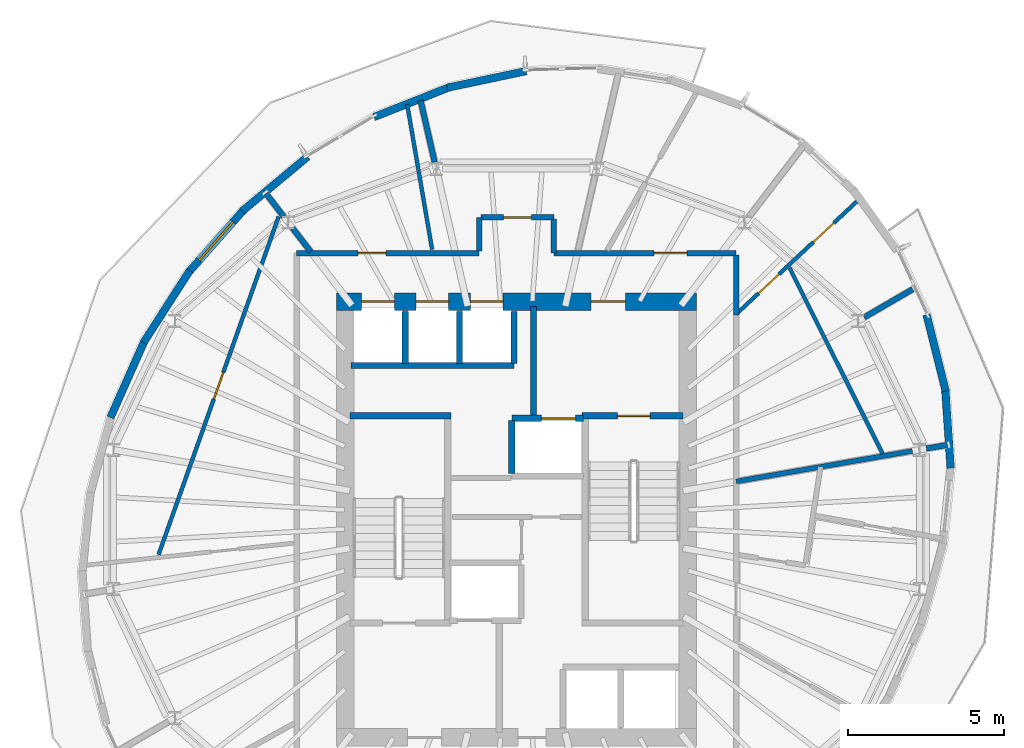
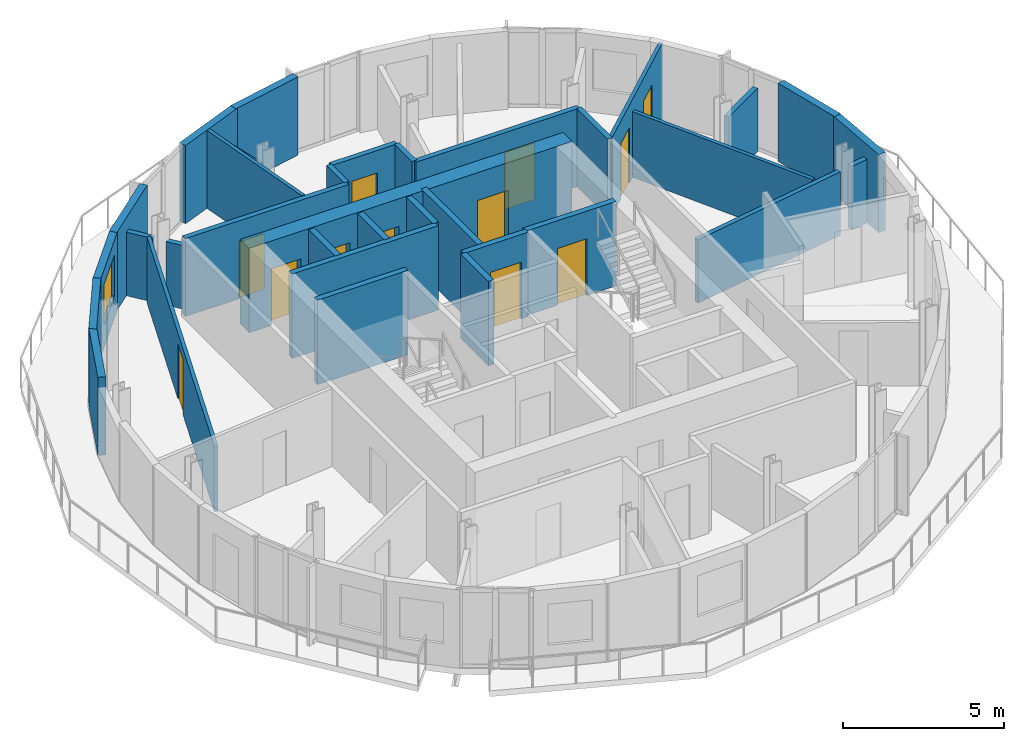
# One storey, part 6 of 11: 34 walls, 12 doors, 1 window, 13 openings.
"""IFC4 building model written with IfcOpenShell, lengths in metres."""

from ifc_helpers import new_model, si_unit, direction, frame, frame_2d, origin, place, context, subcontext, project, spatial, rectangle, extrude, material, layer, layer_set, type_object, element, fill, save


model = new_model("IFC4")

# Units and contexts
model_context = context("Model", 3, precision=1e-05, world=origin(), true_north=direction((0.0, 1.0)))
body_context = subcontext(model_context, "Body", "Model", "MODEL_VIEW")
ifc_project = project(units=[si_unit("LENGTHUNIT", "METRE"), si_unit("AREAUNIT", "SQUARE_METRE"), si_unit("VOLUMEUNIT", "CUBIC_METRE"), si_unit("PLANEANGLEUNIT", "RADIAN"), si_unit("MASSUNIT", "GRAM", prefix="KILO")], contexts=[model_context])

# Site, building, storey
site_placement = place(None, origin())
site = spatial("IfcSite", under=ifc_project, at=site_placement, CompositionType="ELEMENT")
building_placement = place(site_placement, origin())
building = spatial("IfcBuilding", under=site, at=building_placement, Name="Veldorim Arch Residences", CompositionType="ELEMENT")
storey_placement = place(building_placement, frame((0.0, 0.0, 214.239990234375)))
storey = spatial("IfcBuildingStorey", under=building, at=storey_placement, Name="L64", CompositionType="ELEMENT", Elevation=214.239990234375)

# Wall, openings, doors
ifc_material_1 = material(Name="Acoustic Gypsum Board", Category="gypsum")
ifc_layer_1 = layer(ifc_material_1, 0.125, Name="Acoustic Stud Room Partition Wall 125")
ifc_layer_set_1 = layer_set([ifc_layer_1], Name="Acoustic Gypsum Board")
wall_type_1 = type_object("IfcWallType", Name="Acoustic Stud Room Partition Wall 125", PredefinedType="PARTITIONING", material=ifc_layer_set_1)
wall_1_placement = place(storey_placement, frame((43.019775390625, 34.29443359375, 0.0), z_axis=(0.0, 0.0, 1.0), x_axis=(-0.730757039427, -0.682637641307, 0.0)))
wall_1 = element("IfcWall", 1, at=wall_1_placement, inside=storey, type_object=wall_type_1, Name="L64 interior wall WL-RES-L64-023", PredefinedType="PARTITIONING", context=body_context, shape_type="SweptSolid", body=[
    extrude(rectangle(XDim=5.418701171875, YDim=0.125, at=frame_2d((2.70947265625, 0.0))), origin(), (0.0, 0.0, 1.0), 2.955078125),
])
opening_1_placement = place(wall_1_placement, frame((1.1220703125, 0.0, 0.0)))
opening_1 = element("IfcOpeningElement", 2, at=opening_1_placement, cuts=wall_1, Name="Opening DR-INT", PredefinedType="OPENING", context=body_context, shape_type="SweptSolid", body=[
    extrude(rectangle(XDim=0.89990234375, YDim=2.10009765625, at=frame_2d((0.449951171875, 1.050048828125))), frame((0.0, 0.072509765625, 0.0), z_axis=(0.0, -1.0, 0.0), x_axis=(1.0, 0.0, 0.0)), (0.0, 0.0, 1.0), 0.14501953125),
])
opening_2_placement = place(wall_1_placement, frame((3.531005859375, 0.0, 0.0)))
opening_2 = element("IfcOpeningElement", 3, at=opening_2_placement, cuts=wall_1, Name="Opening DR-INT", PredefinedType="OPENING", context=body_context, shape_type="SweptSolid", body=[
    extrude(rectangle(XDim=0.89990234375, YDim=2.10009765625, at=frame_2d((0.449951171875, 1.050048828125))), frame((0.0, 0.072509765625, 0.0), z_axis=(0.0, -1.0, 0.0), x_axis=(1.0, 0.0, 0.0)), (0.0, 0.0, 1.0), 0.14501953125),
])
ifc_material_2 = material(Name="Engineered Timber", Category="wood")
door_type_1 = type_object("IfcDoorType", Name="Apartment Internal Room Timber Door 900x2100", OperationType="SINGLE_SWING_LEFT", PredefinedType="DOOR", material=ifc_material_2)
door_1_placement = place(opening_1_placement, origin())
door_1 = element("IfcDoor", 4, at=door_1_placement, inside=storey, type_object=door_type_1, Name="L64 interior door DR-RES-L64-009", OperationType="SINGLE_SWING_LEFT", OverallHeight=2.10009765625, OverallWidth=0.89990234375, PredefinedType="DOOR", context=body_context, shape_type="SweptSolid", body=[
    extrude(rectangle(XDim=0.89990234375, YDim=2.10009765625, at=frame_2d((0.449951171875, 1.050048828125))), frame((0.0, 0.02490234375, 0.0), z_axis=(0.0, -1.0, 0.0), x_axis=(1.0, 0.0, 0.0)), (0.0, 0.0, 1.0), 0.050048828125),
])
fill(opening_1, door_1)
door_2_placement = place(opening_2_placement, origin())
door_2 = element("IfcDoor", 5, at=door_2_placement, inside=storey, type_object=door_type_1, Name="L64 interior door DR-RES-L64-010", OperationType="SINGLE_SWING_RIGHT", OverallHeight=2.10009765625, OverallWidth=0.89990234375, PredefinedType="DOOR", context=body_context, shape_type="SweptSolid", body=[
    extrude(rectangle(XDim=0.89990234375, YDim=2.10009765625, at=frame_2d((0.449951171875, 1.050048828125))), frame((0.0, 0.02490234375, 0.0), z_axis=(0.0, -1.0, 0.0), x_axis=(1.0, 0.0, 0.0)), (0.0, 0.0, 1.0), 0.050048828125),
])
fill(opening_2, door_2)

# Walls
wall_2_placement = place(storey_placement, frame((43.76806640625, 26.113525390625, 0.0), z_axis=(0.0, 0.0, 1.0), x_axis=(-0.447958394428, 0.894054403748, 0.0)))
element("IfcWall", 6, at=wall_2_placement, inside=storey, type_object=wall_type_1, Name="L64 interior wall WL-RES-L64-025", PredefinedType="PARTITIONING", context=body_context, shape_type="SweptSolid", body=[
    extrude(rectangle(XDim=6.685546875, YDim=0.125, at=frame_2d((3.3427734375, 0.0))), origin(), (0.0, 0.0, 1.0), 2.488037109375),
])
wall_3_placement = place(storey_placement, frame((28.489501953125, 37.340576171875, 0.0), z_axis=(0.0, 0.0, 1.0), x_axis=(0.169376334169, -0.98555144839, 0.0)))
element("IfcWall", 7, at=wall_3_placement, inside=storey, type_object=wall_type_1, Name="L64 interior wall WL-RES-L64-026", PredefinedType="PARTITIONING", context=body_context, shape_type="SweptSolid", body=[
    extrude(rectangle(XDim=4.730712890625, YDim=0.125, at=frame_2d((2.365234375, 0.0))), origin(), (0.0, 0.0, 1.0), 2.955078125),
])

# Wall, opening, door
wall_4_placement = place(storey_placement, frame((20.501220703125, 22.86962890625, 0.0), z_axis=(0.0, 0.0, 1.0), x_axis=(0.334686593727, 0.942329498625, 0.0)))
wall_4 = element("IfcWall", 8, at=wall_4_placement, inside=storey, type_object=wall_type_1, Name="L64 interior wall WL-RES-L64-030", PredefinedType="PARTITIONING", context=body_context, shape_type="SweptSolid", body=[
    extrude(rectangle(XDim=11.524658203125, YDim=0.125, at=frame_2d((5.76220703125, 0.0))), origin(), (0.0, 0.0, 1.0), 2.488037109375),
])
opening_3_placement = place(wall_4_placement, frame((5.3125, 0.0, 0.0)))
opening_3 = element("IfcOpeningElement", 9, at=opening_3_placement, cuts=wall_4, Name="Opening DR-INT", PredefinedType="OPENING", context=body_context, shape_type="SweptSolid", body=[
    extrude(rectangle(XDim=0.89990234375, YDim=2.10009765625, at=frame_2d((0.449951171875, 1.050048828125))), frame((0.0, 0.072509765625, 0.0), z_axis=(0.0, -1.0, 0.0), x_axis=(1.0, 0.0, 0.0)), (0.0, 0.0, 1.0), 0.14501953125),
])
door_3_placement = place(opening_3_placement, origin())
door_3 = element("IfcDoor", 10, at=door_3_placement, inside=storey, type_object=door_type_1, Name="L64 interior door DR-RES-L64-016", OperationType="SINGLE_SWING_RIGHT", OverallHeight=2.10009765625, OverallWidth=0.89990234375, PredefinedType="DOOR", context=body_context, shape_type="SweptSolid", body=[
    extrude(rectangle(XDim=0.89990234375, YDim=2.10009765625, at=frame_2d((0.449951171875, 1.050048828125))), frame((0.0, 0.02490234375, 0.0), z_axis=(0.0, -1.0, 0.0), x_axis=(1.0, 0.0, 0.0)), (0.0, 0.0, 1.0), 0.050048828125),
])
fill(opening_3, door_3)

# Walls
ifc_material_3 = material(Name="Lightweight Masonry Block & Gypsum", Category="masonry")
ifc_layer_2 = layer(ifc_material_3, 0.179931640625, Name="Compartment & Corridor Fire-Rated Party Wall 180")
ifc_layer_set_2 = layer_set([ifc_layer_2], Name="Lightweight Masonry Block & Gypsum")
wall_type_2 = type_object("IfcWallType", Name="Compartment & Corridor Fire-Rated Party Wall 180", PredefinedType="PARTITIONING", material=ifc_layer_set_2)
wall_5_placement = place(storey_placement, frame((45.172607421875, 26.27880859375, 0.0), z_axis=(0.0, 0.0, 1.0), x_axis=(0.985357392461, 0.170501639647, 0.0)))
element("IfcWall", 11, at=wall_5_placement, inside=storey, type_object=wall_type_2, Name="L64 interior wall WL-PIER-L64-01", PredefinedType="PARTITIONING", context=body_context, shape_type="SweptSolid", body=[
    extrude(rectangle(XDim=0.687255859375, YDim=0.179931640625, at=frame_2d((0.34375, 0.0))), origin(), (0.0, 0.0, 1.0), 2.4033203125),
])
wall_6_placement = place(storey_placement, frame((43.173828125, 30.4931640625, 0.0), z_axis=(0.0, 0.0, 1.0), x_axis=(0.864637155841, 0.502396843879, 0.0)))
element("IfcWall", 12, at=wall_6_placement, inside=storey, type_object=wall_type_2, Name="L64 interior wall WL-PIER-L64-02", PredefinedType="PARTITIONING", context=body_context, shape_type="SweptSolid", body=[
    extrude(rectangle(XDim=1.802978515625, YDim=0.179931640625, at=frame_2d((0.9013671875, 0.0))), origin(), (0.0, 0.0, 1.0), 2.4033203125),
])
wall_7_placement = place(storey_placement, frame((29.37353515625, 35.483154296875, 0.0), z_axis=(0.0, 0.0, 1.0), x_axis=(-0.222932254148, 0.974833939736, 0.0)))
element("IfcWall", 13, at=wall_7_placement, inside=storey, type_object=wall_type_2, Name="L64 interior wall WL-PIER-L64-05", PredefinedType="PARTITIONING", context=body_context, shape_type="SweptSolid", body=[
    extrude(rectangle(XDim=2.035888671875, YDim=0.179931640625, at=frame_2d((1.01806640625, 0.0))), origin(), (0.0, 0.0, 1.0), 2.4033203125),
])
wall_8_placement = place(storey_placement, frame((24.526611328125, 33.727294921875, 0.0), z_axis=(0.0, 0.0, 1.0), x_axis=(-0.60903478373, 0.793143512995, 0.0)))
element("IfcWall", 14, at=wall_8_placement, inside=storey, type_object=wall_type_2, Name="L64 interior wall WL-PIER-L64-06", PredefinedType="PARTITIONING", context=body_context, shape_type="SweptSolid", body=[
    extrude(rectangle(XDim=0.94287109375, YDim=0.179931640625, at=frame_2d((0.471435546875, 0.0))), origin(), (0.0, 0.0, 1.0), 2.4033203125),
])

# Wall, opening, door
wall_9_placement = place(storey_placement, frame((33.199951171875, 32.56005859375, 0.0), z_axis=(0.0, 0.0, 1.0), x_axis=(1.0, 0.0, 0.0)))
wall_9 = element("IfcWall", 15, at=wall_9_placement, inside=storey, type_object=wall_type_2, Name="L64 interior wall WL-RES-L64-007", PredefinedType="PARTITIONING", context=body_context, shape_type="SweptSolid", body=[
    extrude(rectangle(XDim=5.860107421875, YDim=0.179931640625, at=frame_2d((2.93017578125, 0.0))), origin(), (0.0, 0.0, 1.0), 2.955078125),
])
opening_4_placement = place(wall_9_placement, frame((3.227294921875, 0.0, 0.0)))
opening_4 = element("IfcOpeningElement", 16, at=opening_4_placement, cuts=wall_9, Name="Opening DR-FLT", PredefinedType="OPENING", context=body_context, shape_type="SweptSolid", body=[
    extrude(rectangle(XDim=1.050048828125, YDim=2.14990234375, at=frame_2d((0.52490234375, 1.074951171875))), frame((0.0, 0.099853515625, 0.0), z_axis=(0.0, -1.0, 0.0), x_axis=(1.0, 0.0, 0.0)), (0.0, 0.0, 1.0), 0.199951171875),
])
ifc_material_4 = material(Name="Fire-Rated Timber", Category="wood")
door_type_2 = type_object("IfcDoorType", Name="Apartment Entrance Solid-Core Fire Door 1050x2150", OperationType="SINGLE_SWING_LEFT", PredefinedType="DOOR", material=ifc_material_4)
door_4_placement = place(opening_4_placement, origin())
door_4 = element("IfcDoor", 17, at=door_4_placement, inside=storey, type_object=door_type_2, Name="L64 interior door DR-RES-L64-007", OperationType="SINGLE_SWING_LEFT", OverallHeight=2.14990234375, OverallWidth=1.050048828125, PredefinedType="DOOR", context=body_context, shape_type="SweptSolid", body=[
    extrude(rectangle(XDim=1.050048828125, YDim=2.14990234375, at=frame_2d((0.52490234375, 1.074951171875))), frame((0.0, 0.02490234375, 0.0), z_axis=(0.0, -1.0, 0.0), x_axis=(1.0, 0.0, 0.0)), (0.0, 0.0, 1.0), 0.050048828125),
])
fill(opening_4, door_4)

# Wall
wall_10_placement = place(storey_placement, frame((39.06005859375, 32.5, 0.0), z_axis=(0.0, 0.0, 1.0), x_axis=(0.0, -1.0, 0.0)))
element("IfcWall", 18, at=wall_10_placement, inside=storey, type_object=wall_type_2, Name="L64 interior wall WL-RES-L64-008", PredefinedType="PARTITIONING", context=body_context, shape_type="SweptSolid", body=[
    extrude(rectangle(XDim=1.924560546875, YDim=0.179931640625, at=frame_2d((0.96240234375, 0.0))), origin(), (0.0, 0.0, 1.0), 2.955078125),
])

# Wall, opening, door
wall_11_placement = place(storey_placement, frame((24.93994140625, 32.56005859375, 0.0), z_axis=(0.0, 0.0, 1.0), x_axis=(1.0, 0.0, 0.0)))
wall_11 = element("IfcWall", 19, at=wall_11_placement, inside=storey, type_object=wall_type_2, Name="L64 interior wall WL-RES-L64-009", PredefinedType="PARTITIONING", context=body_context, shape_type="SweptSolid", body=[
    extrude(rectangle(XDim=5.860107421875, YDim=0.179931640625, at=frame_2d((2.93017578125, 0.0))), origin(), (0.0, 0.0, 1.0), 2.955078125),
])
opening_5_placement = place(wall_11_placement, frame((1.974609375, 0.0, 0.0)))
opening_5 = element("IfcOpeningElement", 20, at=opening_5_placement, cuts=wall_11, Name="Opening DR-SVC", PredefinedType="OPENING", context=body_context, shape_type="SweptSolid", body=[
    extrude(rectangle(XDim=0.89990234375, YDim=2.10009765625, at=frame_2d((0.449951171875, 1.050048828125))), frame((0.0, 0.099853515625, 0.0), z_axis=(0.0, -1.0, 0.0), x_axis=(1.0, 0.0, 0.0)), (0.0, 0.0, 1.0), 0.199951171875),
])
ifc_material_5 = material(Name="Fire-Rated Steel", Category="steel")
door_type_3 = type_object("IfcDoorType", Name="Riser, Shelter & Plant Room Rated Steel Door 900x2100", OperationType="SINGLE_SWING_LEFT", PredefinedType="DOOR", material=ifc_material_5)
door_5_placement = place(opening_5_placement, origin())
door_5 = element("IfcDoor", 21, at=door_5_placement, inside=storey, type_object=door_type_3, Name="L64 interior door DR-RES-L64-011", OperationType="SINGLE_SWING_LEFT", OverallHeight=2.10009765625, OverallWidth=0.89990234375, PredefinedType="DOOR", context=body_context, shape_type="SweptSolid", body=[
    extrude(rectangle(XDim=0.89990234375, YDim=2.10009765625, at=frame_2d((0.449951171875, 1.050048828125))), frame((0.0, 0.02490234375, 0.0), z_axis=(0.0, -1.0, 0.0), x_axis=(1.0, 0.0, 0.0)), (0.0, 0.0, 1.0), 0.050048828125),
])
fill(opening_5, door_5)

# Wall
wall_12_placement = place(storey_placement, frame((30.800048828125, 32.6201171875, 0.0), z_axis=(0.0, 0.0, 1.0), x_axis=(0.0, 1.0, 0.0)))
element("IfcWall", 22, at=wall_12_placement, inside=storey, type_object=wall_type_2, Name="L64 interior wall WL-RES-L64-010", PredefinedType="PARTITIONING", context=body_context, shape_type="SweptSolid", body=[
    extrude(rectangle(XDim=1.08984375, YDim=0.179931640625, at=frame_2d((0.544921875, 0.0))), origin(), (0.0, 0.0, 1.0), 2.955078125),
])

# Wall, opening, door
wall_13_placement = place(storey_placement, frame((30.860107421875, 33.7099609375, 0.0), z_axis=(0.0, 0.0, 1.0), x_axis=(1.0, 0.0, 0.0)))
wall_13 = element("IfcWall", 23, at=wall_13_placement, inside=storey, type_object=wall_type_2, Name="L64 interior wall WL-RES-L64-011", PredefinedType="PARTITIONING", context=body_context, shape_type="SweptSolid", body=[
    extrude(rectangle(XDim=2.33984375, YDim=0.179931640625, at=frame_2d((1.169921875, 0.0))), origin(), (0.0, 0.0, 1.0), 2.955078125),
])
opening_6_placement = place(wall_13_placement, frame((0.719970703125, 0.0, 0.0)))
opening_6 = element("IfcOpeningElement", 24, at=opening_6_placement, cuts=wall_13, Name="Opening DR-INT", PredefinedType="OPENING", context=body_context, shape_type="SweptSolid", body=[
    extrude(rectangle(XDim=0.89990234375, YDim=2.10009765625, at=frame_2d((0.449951171875, 1.050048828125))), frame((0.0, 0.099853515625, 0.0), z_axis=(0.0, -1.0, 0.0), x_axis=(1.0, 0.0, 0.0)), (0.0, 0.0, 1.0), 0.199951171875),
])
door_6_placement = place(opening_6_placement, origin())
door_6 = element("IfcDoor", 25, at=door_6_placement, inside=storey, type_object=door_type_1, Name="L64 interior door DR-RES-L64-012", OperationType="SINGLE_SWING_RIGHT", OverallHeight=2.10009765625, OverallWidth=0.89990234375, PredefinedType="DOOR", context=body_context, shape_type="SweptSolid", body=[
    extrude(rectangle(XDim=0.89990234375, YDim=2.10009765625, at=frame_2d((0.449951171875, 1.050048828125))), frame((0.0, 0.02490234375, 0.0), z_axis=(0.0, -1.0, 0.0), x_axis=(1.0, 0.0, 0.0)), (0.0, 0.0, 1.0), 0.050048828125),
])
fill(opening_6, door_6)

# Walls
wall_14_placement = place(storey_placement, frame((33.199951171875, 33.64990234375, 0.0), z_axis=(0.0, 0.0, 1.0), x_axis=(0.0, -1.0, 0.0)))
element("IfcWall", 26, at=wall_14_placement, inside=storey, type_object=wall_type_2, Name="L64 interior wall WL-RES-L64-012", PredefinedType="PARTITIONING", context=body_context, shape_type="SweptSolid", body=[
    extrude(rectangle(XDim=1.08984375, YDim=0.179931640625, at=frame_2d((0.544921875, 0.0))), origin(), (0.0, 0.0, 1.0), 2.955078125),
])
wall_15_placement = place(storey_placement, frame((25.386962890625, 32.607666015625, 0.0), z_axis=(0.0, 0.0, 1.0), x_axis=(-0.609302225724, 0.792938079378, 0.0)))
element("IfcWall", 27, at=wall_15_placement, inside=storey, type_object=wall_type_2, Name="L64 interior wall WL-RES-L64-027", PredefinedType="PARTITIONING", context=body_context, shape_type="SweptSolid", body=[
    extrude(rectangle(XDim=0.953125, YDim=0.179931640625, at=frame_2d((0.4765625, 0.0))), origin(), (0.0, 0.0, 1.0), 2.4033203125),
])
ifc_material_6 = material(Name="Concrete C50/60", Category="concrete")
ifc_layer_3 = layer(ifc_material_6, 0.199951171875, Name="Core Stair & Lift Shaft Enclosure Wall 200")
ifc_layer_set_3 = layer_set([ifc_layer_3], Name="Concrete C50/60")
wall_type_3 = type_object("IfcWallType", Name="Core Stair & Lift Shaft Enclosure Wall 200", PredefinedType="SHEAR", material=ifc_layer_set_3)
wall_16_placement = place(storey_placement, frame((26.64990234375, 27.330078125, 0.0), z_axis=(0.0, 0.0, 1.0), x_axis=(1.0, 0.0, 0.0)))
element("IfcWall", 28, at=wall_16_placement, inside=storey, type_object=wall_type_3, Name="L64 shaft wall WL-SHF-L64-ST1-N", PredefinedType="SHEAR", context=body_context, shape_type="SweptSolid", body=[
    extrude(rectangle(XDim=3.239990234375, YDim=0.199951171875, at=frame_2d((1.6201171875, 0.0))), origin(), (0.0, 0.0, 1.0), 3.199951171875),
])

# Wall, opening, door
wall_17_placement = place(storey_placement, frame((34.110107421875, 27.330078125, 0.0), z_axis=(0.0, 0.0, 1.0), x_axis=(1.0, 0.0, 0.0)))
wall_17 = element("IfcWall", 29, at=wall_17_placement, inside=storey, type_object=wall_type_3, Name="L64 shaft wall WL-SHF-L64-ST2-N", PredefinedType="SHEAR", context=body_context, shape_type="SweptSolid", body=[
    extrude(rectangle(XDim=3.239990234375, YDim=0.199951171875, at=frame_2d((1.6201171875, 0.0))), origin(), (0.0, 0.0, 1.0), 3.199951171875),
])
opening_7_placement = place(wall_17_placement, frame((1.135009765625, 0.0, 0.0)))
opening_7 = element("IfcOpeningElement", 30, at=opening_7_placement, cuts=wall_17, Name="Opening DR-ST", PredefinedType="OPENING", context=body_context, shape_type="SweptSolid", body=[
    extrude(rectangle(XDim=1.050048828125, YDim=2.14990234375, at=frame_2d((0.52490234375, 1.074951171875))), frame((0.0, 0.10986328125, 0.0), z_axis=(0.0, -1.0, 0.0), x_axis=(1.0, 0.0, 0.0)), (0.0, 0.0, 1.0), 0.219970703125),
])
ifc_material_7 = material(Name="Fire-Rated Steel", Category="steel")
door_type_4 = type_object("IfcDoorType", Name="Exit Staircase Self-Closing Fire Door 1050x2150", OperationType="SINGLE_SWING_LEFT", PredefinedType="DOOR", material=ifc_material_7)
door_7_placement = place(opening_7_placement, origin())
door_7 = element("IfcDoor", 31, at=door_7_placement, inside=storey, type_object=door_type_4, Name="L64 interior door DR-L64-ST2", OperationType="SINGLE_SWING_RIGHT", OverallHeight=2.14990234375, OverallWidth=1.050048828125, PredefinedType="DOOR", context=body_context, shape_type="SweptSolid", body=[
    extrude(rectangle(XDim=1.050048828125, YDim=2.14990234375, at=frame_2d((0.52490234375, 1.074951171875))), frame((0.0, 0.02490234375, 0.0), z_axis=(0.0, -1.0, 0.0), x_axis=(1.0, 0.0, 0.0)), (0.0, 0.0, 1.0), 0.050048828125),
])
fill(opening_7, door_7)

# Wall
wall_18_placement = place(storey_placement, frame((32.550048828125, 27.35009765625, 0.0), z_axis=(0.0, 0.0, 1.0), x_axis=(0.0, 1.0, 0.0)))
element("IfcWall", 32, at=wall_18_placement, inside=storey, type_object=wall_type_3, Name="L64 shaft wall WL-FFL2-L64-W", PredefinedType="SHEAR", context=body_context, shape_type="SweptSolid", body=[
    extrude(rectangle(XDim=3.5, YDim=0.199951171875, at=frame_2d((1.75, 0.0))), origin(), (0.0, 0.0, 1.0), 3.199951171875),
])

# Wall, opening, door
wall_19_placement = place(storey_placement, frame((31.85009765625, 27.25, 0.0), z_axis=(0.0, 0.0, 1.0), x_axis=(1.0, 0.0, 0.0)))
wall_19 = element("IfcWall", 33, at=wall_19_placement, inside=storey, type_object=wall_type_3, Name="L64 shaft wall WL-FL02-L64-N", PredefinedType="SHEAR", context=body_context, shape_type="SweptSolid", body=[
    extrude(rectangle(XDim=2.2998046875, YDim=0.199951171875, at=frame_2d((1.14990234375, 0.0))), origin(), (0.0, 0.0, 1.0), 3.199951171875),
])
opening_8_placement = place(wall_19_placement, frame((0.949951171875, 0.0, 0.0)))
opening_8 = element("IfcOpeningElement", 34, at=opening_8_placement, cuts=wall_19, Name="Opening LD-FF", PredefinedType="OPENING", context=body_context, shape_type="SweptSolid", body=[
    extrude(rectangle(XDim=1.10009765625, YDim=2.14990234375, at=frame_2d((0.550048828125, 1.074951171875))), frame((0.0, 0.10986328125, 0.0), z_axis=(0.0, -1.0, 0.0), x_axis=(1.0, 0.0, 0.0)), (0.0, 0.0, 1.0), 0.219970703125),
])
ifc_material_8 = material(Name="Stainless Steel", Category="steel")
door_type_5 = type_object("IfcDoorType", Name="Firefighting Lift Bi-Parting Sliding Landing Door 1100x2150", OperationType="DOUBLE_DOOR_SLIDING", PredefinedType="DOOR", material=ifc_material_8)
door_8_placement = place(opening_8_placement, origin())
door_8 = element("IfcDoor", 35, at=door_8_placement, inside=storey, type_object=door_type_5, Name="L64 lift landing door LD-L64-FL02", OperationType="DOUBLE_DOOR_SLIDING", OverallHeight=2.14990234375, OverallWidth=1.10009765625, PredefinedType="DOOR", context=body_context, shape_type="SweptSolid", body=[
    extrude(rectangle(XDim=1.10009765625, YDim=2.14990234375, at=frame_2d((0.550048828125, 1.074951171875))), frame((0.0, 0.02490234375, 0.0), z_axis=(0.0, -1.0, 0.0), x_axis=(1.0, 0.0, 0.0)), (0.0, 0.0, 1.0), 0.050048828125),
])
fill(opening_8, door_8)

# Walls
wall_20_placement = place(storey_placement, frame((31.85009765625, 25.469970703125, 0.0), z_axis=(0.0, 0.0, 1.0), x_axis=(0.0, 1.0, 0.0)))
element("IfcWall", 36, at=wall_20_placement, inside=storey, type_object=wall_type_3, Name="L64 shaft wall WL-FL02-L64-W", PredefinedType="SHEAR", context=body_context, shape_type="SweptSolid", body=[
    extrude(rectangle(XDim=1.7099609375, YDim=0.199951171875, at=frame_2d((0.85498046875, 0.0))), origin(), (0.0, 0.0, 1.0), 3.199951171875),
])
wall_21_placement = place(storey_placement, frame((26.679931640625, 28.949951171875, 0.0), z_axis=(0.0, 0.0, 1.0), x_axis=(1.0, 0.0, 0.0)))
element("IfcWall", 37, at=wall_21_placement, inside=storey, type_object=wall_type_3, Name="L64 shaft wall WL-B3-L64-S", PredefinedType="SHEAR", context=body_context, shape_type="SweptSolid", body=[
    extrude(rectangle(XDim=5.239990234375, YDim=0.199951171875, at=frame_2d((2.6201171875, 0.0))), origin(), (0.0, 0.0, 1.0), 3.199951171875),
])
for number, where, z_axis, x_axis, name in (
    (38, (31.919921875, 29.02001953125, 0.0), (0.0, 0.0, 1.0), (0.0, 1.0, 0.0), "L64 shaft wall WL-B3-L64-E"),
    (39, (28.425048828125, 29.02001953125, 0.0), (0.0, 0.0, 1.0), (0.0, 1.0, 0.0), "L64 shaft wall WL-B3-L64-D1"),
    (40, (30.175048828125, 29.02001953125, 0.0), (0.0, 0.0, 1.0), (0.0, 1.0, 0.0), "L64 shaft wall WL-B3-L64-D2"),
):
    element("IfcWall", number, at=place(storey_placement, frame(where, z_axis=z_axis, x_axis=x_axis)), inside=storey, type_object=wall_type_3, Name=name, PredefinedType="SHEAR", context=body_context, shape_type="SweptSolid", body=[
        extrude(rectangle(XDim=1.659912109375, YDim=0.199951171875, at=frame_2d((0.830078125, 0.0))), origin(), (0.0, 0.0, 1.0), 3.199951171875),
    ])
ifc_material_9 = material(Name="Precast concrete C40/50", Category="concrete")
ifc_layer_4 = layer(ifc_material_9, 0.25, Name="Tower Terracotta Spandrel & Pier Wall 250")
ifc_layer_set_4 = layer_set([ifc_layer_4], Name="Precast concrete C40/50")
wall_type_4 = type_object("IfcWallType", Name="Tower Terracotta Spandrel & Pier Wall 250", PredefinedType="SOLIDWALL", material=ifc_layer_set_4)
wall_22_placement = place(storey_placement, frame((29.77880859375, 37.876708984375, 0.0), z_axis=(0.0, 0.0, 1.0), x_axis=(0.978434707222, 0.206556345104, 0.0)))
element("IfcWall", 41, at=wall_22_placement, inside=storey, type_object=wall_type_4, Name="L64 terracotta facade wall 05", PredefinedType="SOLIDWALL", context=body_context, shape_type="SweptSolid", body=[
    extrude(rectangle(XDim=2.592041015625, YDim=0.25, at=frame_2d((1.2958984375, 0.0))), origin(), (0.0, 0.0, 1.0), 2.9599609375),
])
wall_23_placement = place(storey_placement, frame((27.419677734375, 36.933349609375, 0.0), z_axis=(0.0, 0.0, 1.0), x_axis=(0.929861098324, 0.36791077427, 0.0)))
element("IfcWall", 42, at=wall_23_placement, inside=storey, type_object=wall_type_4, Name="L64 terracotta facade wall 06", PredefinedType="SOLIDWALL", context=body_context, shape_type="SweptSolid", body=[
    extrude(rectangle(XDim=2.651123046875, YDim=0.25, at=frame_2d((1.32568359375, 0.0))), origin(), (0.0, 0.0, 1.0), 2.9599609375),
])
wall_24_placement = place(storey_placement, frame((23.184326171875, 33.906494140625, 0.0), z_axis=(0.0, 0.0, 1.0), x_axis=(0.76821397209, 0.640193168571, 0.0)))
element("IfcWall", 43, at=wall_24_placement, inside=storey, type_object=wall_type_4, Name="L64 terracotta facade wall 08", PredefinedType="SOLIDWALL", context=body_context, shape_type="SweptSolid", body=[
    extrude(rectangle(XDim=2.738525390625, YDim=0.25, at=frame_2d((1.369140625, 0.0))), origin(), (0.0, 0.0, 1.0), 2.9599609375),
])

# Wall, opening, window
wall_25_placement = place(storey_placement, frame((21.437255859375, 31.91455078125, 0.0), z_axis=(0.0, 0.0, 1.0), x_axis=(0.661694827408, 0.749773269317, 0.0)))
wall_25 = element("IfcWall", 44, at=wall_25_placement, inside=storey, type_object=wall_type_4, Name="L64 terracotta facade wall 09", PredefinedType="SOLIDWALL", context=body_context, shape_type="SweptSolid", body=[
    extrude(rectangle(XDim=2.758056640625, YDim=0.25, at=frame_2d((1.37890625, 0.0))), origin(), (0.0, 0.0, 1.0), 2.9599609375),
])
opening_9_placement = place(wall_25_placement, frame((0.553955078125, 0.0, 0.85009765625)))
opening_9 = element("IfcOpeningElement", 45, at=opening_9_placement, cuts=wall_25, Name="Opening WN-03", PredefinedType="OPENING", context=body_context, shape_type="SweptSolid", body=[
    extrude(rectangle(XDim=1.64990234375, YDim=1.550048828125, at=frame_2d((0.824951171875, 0.77490234375))), frame((0.0, 0.135009765625, 0.0), z_axis=(0.0, -1.0, 0.0), x_axis=(1.0, 0.0, 0.0)), (0.0, 0.0, 1.0), 0.27001953125),
])
ifc_material_10 = material(Name="Laminated Low-E Glass", Category="glass")
window_type = type_object("IfcWindowType", Name="Residential Wide Window 1650x1550", PartitioningType="SINGLE_PANEL", PredefinedType="WINDOW", material=ifc_material_10)
window_placement = place(opening_9_placement, origin())
window = element("IfcWindow", 46, at=window_placement, inside=storey, type_object=window_type, Name="L64 solar-control facade window 09", OverallHeight=1.550048828125, OverallWidth=1.64990234375, PartitioningType="SINGLE_PANEL", PredefinedType="WINDOW", context=body_context, shape_type="SweptSolid", body=[
    extrude(rectangle(XDim=1.64990234375, YDim=1.550048828125, at=frame_2d((0.824951171875, 0.77490234375))), frame((0.0, 0.030029296875, 0.0), z_axis=(0.0, -1.0, 0.0), x_axis=(1.0, 0.0, 0.0)), (0.0, 0.0, 1.0), 0.06005859375),
])
fill(opening_9, window)

# Walls
wall_26_placement = place(storey_placement, frame((20.01171875, 29.68115234375, 0.0), z_axis=(0.0, 0.0, 1.0), x_axis=(0.540690479286, 0.841221615039, 0.0)))
element("IfcWall", 47, at=wall_26_placement, inside=storey, type_object=wall_type_4, Name="L64 terracotta facade wall 10", PredefinedType="SOLIDWALL", context=body_context, shape_type="SweptSolid", body=[
    extrude(rectangle(XDim=2.758056640625, YDim=0.25, at=frame_2d((1.37890625, 0.0))), origin(), (0.0, 0.0, 1.0), 2.9599609375),
])
wall_27_placement = place(storey_placement, frame((18.950927734375, 27.2744140625, 0.0), z_axis=(0.0, 0.0, 1.0), x_axis=(0.40624599189, 0.913763751783, 0.0)))
element("IfcWall", 48, at=wall_27_placement, inside=storey, type_object=wall_type_4, Name="L64 terracotta facade wall 11", PredefinedType="SOLIDWALL", context=body_context, shape_type="SweptSolid", body=[
    extrude(rectangle(XDim=2.738525390625, YDim=0.25, at=frame_2d((1.369140625, 0.0))), origin(), (0.0, 0.0, 1.0), 2.9599609375),
])
wall_28_placement = place(storey_placement, frame((45.77880859375, 28.23681640625, 0.0), z_axis=(0.0, 0.0, 1.0), x_axis=(0.068469168344, -0.997653232835, 0.0)))
element("IfcWall", 49, at=wall_28_placement, inside=storey, type_object=wall_type_4, Name="L64 terracotta facade wall 32", PredefinedType="SOLIDWALL", context=body_context, shape_type="SweptSolid", body=[
    extrude(rectangle(XDim=2.59228515625, YDim=0.25, at=frame_2d((1.296142578125, 0.0))), origin(), (0.0, 0.0, 1.0), 2.9599609375),
])
wall_29_placement = place(storey_placement, frame((45.180419921875, 30.58251953125, 0.0), z_axis=(0.0, 0.0, 1.0), x_axis=(0.243170809566, -0.969983483042, 0.0)))
element("IfcWall", 50, at=wall_29_placement, inside=storey, type_object=wall_type_4, Name="L64 terracotta facade wall 33", PredefinedType="SOLIDWALL", context=body_context, shape_type="SweptSolid", body=[
    extrude(rectangle(XDim=2.531982421875, YDim=0.25, at=frame_2d((1.26611328125, 0.0))), origin(), (0.0, 0.0, 1.0), 2.9599609375),
])

# Wall, openings, doors
ifc_material_11 = material(Name="Concrete C50/60", Category="concrete")
ifc_layer_5 = layer(ifc_material_11, 0.5, Name="Upper Central Core Shear Wall 560")
ifc_layer_set_5 = layer_set([ifc_layer_5], Name="Concrete C50/60")
wall_type_5 = type_object("IfcWallType", Name="Upper Central Core Shear Wall 560", PredefinedType="SHEAR", material=ifc_layer_set_5)
wall_30_placement = place(storey_placement, frame((26.219970703125, 31.0, 0.0), z_axis=(0.0, 0.0, 1.0), x_axis=(1.0, 0.0, 0.0)))
wall_30 = element("IfcWall", 51, at=wall_30_placement, inside=storey, type_object=wall_type_5, Name="L64 central core north shear wall", PredefinedType="SHEAR", context=body_context, shape_type="SweptSolid", body=[
    extrude(rectangle(XDim=11.56005859375, YDim=0.56005859375, at=frame_2d((5.780029296875, 0.0))), origin(), (0.0, 0.0, 1.0), 3.199951171875),
])
opening_10_placement = place(wall_30_placement, frame((8.179931640625, 0.0, 0.0)))
opening_10 = element("IfcOpeningElement", 52, at=opening_10_placement, cuts=wall_30, Name="Opening DR-FFL", PredefinedType="OPENING", context=body_context, shape_type="SweptSolid", body=[
    extrude(rectangle(XDim=1.10009765625, YDim=2.14990234375, at=frame_2d((0.550048828125, 1.074951171875))), frame((0.0, 0.2900390625, 0.0), z_axis=(0.0, -1.0, 0.0), x_axis=(1.0, 0.0, 0.0)), (0.0, 0.0, 1.0), 0.580078125),
])
opening_11_placement = place(wall_30_placement, frame((0.804931640625, 0.0, 0.0)))
opening_11 = element("IfcOpeningElement", 53, at=opening_11_placement, cuts=wall_30, Name="Opening LD-PS", PredefinedType="OPENING", context=body_context, shape_type="SweptSolid", body=[
    extrude(rectangle(XDim=1.050048828125, YDim=2.14990234375, at=frame_2d((0.52490234375, 1.074951171875))), frame((0.0, 0.2900390625, 0.0), z_axis=(0.0, -1.0, 0.0), x_axis=(1.0, 0.0, 0.0)), (0.0, 0.0, 1.0), 0.580078125),
])
opening_12_placement = place(wall_30_placement, frame((2.554931640625, 0.0, 0.0)))
opening_12 = element("IfcOpeningElement", 54, at=opening_12_placement, cuts=wall_30, Name="Opening LD-PS", PredefinedType="OPENING", context=body_context, shape_type="SweptSolid", body=[
    extrude(rectangle(XDim=1.050048828125, YDim=2.14990234375, at=frame_2d((0.52490234375, 1.074951171875))), frame((0.0, 0.2900390625, 0.0), z_axis=(0.0, -1.0, 0.0), x_axis=(1.0, 0.0, 0.0)), (0.0, 0.0, 1.0), 0.580078125),
])
opening_13_placement = place(wall_30_placement, frame((4.304931640625, 0.0, 0.0)))
opening_13 = element("IfcOpeningElement", 55, at=opening_13_placement, cuts=wall_30, Name="Opening LD-PS", PredefinedType="OPENING", context=body_context, shape_type="SweptSolid", body=[
    extrude(rectangle(XDim=1.050048828125, YDim=2.14990234375, at=frame_2d((0.52490234375, 1.074951171875))), frame((0.0, 0.2900390625, 0.0), z_axis=(0.0, -1.0, 0.0), x_axis=(1.0, 0.0, 0.0)), (0.0, 0.0, 1.0), 0.580078125),
])
ifc_material_12 = material(Name="Fire-Rated Steel & Vision Glass", Category="steel")
door_type_6 = type_object("IfcDoorType", Name="Firefighting Lobby Smoke-Stop Fire Door 1100x2150", OperationType="SINGLE_SWING_LEFT", PredefinedType="DOOR", material=ifc_material_12)
door_9_placement = place(opening_10_placement, origin())
door_9 = element("IfcDoor", 56, at=door_9_placement, inside=storey, type_object=door_type_6, Name="L64 interior door DR-L64-FFL2", OperationType="SINGLE_SWING_LEFT", OverallHeight=2.14990234375, OverallWidth=1.10009765625, PredefinedType="DOOR", context=body_context, shape_type="SweptSolid", body=[
    extrude(rectangle(XDim=1.10009765625, YDim=2.14990234375, at=frame_2d((0.550048828125, 1.074951171875))), frame((0.0, 0.02490234375, 0.0), z_axis=(0.0, -1.0, 0.0), x_axis=(1.0, 0.0, 0.0)), (0.0, 0.0, 1.0), 0.050048828125),
])
fill(opening_10, door_9)
ifc_material_13 = material(Name="Stainless Steel", Category="steel")
door_type_7 = type_object("IfcDoorType", Name="Passenger Lift Bi-Parting Sliding Landing Door 1050x2150", OperationType="DOUBLE_DOOR_SLIDING", PredefinedType="DOOR", material=ifc_material_13)
door_10_placement = place(opening_11_placement, origin())
door_10 = element("IfcDoor", 57, at=door_10_placement, inside=storey, type_object=door_type_7, Name="L64 lift landing door LD-L64-PL-08", OperationType="DOUBLE_DOOR_SLIDING", OverallHeight=2.14990234375, OverallWidth=1.050048828125, PredefinedType="DOOR", context=body_context, shape_type="SweptSolid", body=[
    extrude(rectangle(XDim=1.050048828125, YDim=2.14990234375, at=frame_2d((0.52490234375, 1.074951171875))), frame((0.0, 0.02490234375, 0.0), z_axis=(0.0, -1.0, 0.0), x_axis=(1.0, 0.0, 0.0)), (0.0, 0.0, 1.0), 0.050048828125),
])
fill(opening_11, door_10)
door_11_placement = place(opening_12_placement, origin())
door_11 = element("IfcDoor", 58, at=door_11_placement, inside=storey, type_object=door_type_7, Name="L64 lift landing door LD-L64-PL-09", OperationType="DOUBLE_DOOR_SLIDING", OverallHeight=2.14990234375, OverallWidth=1.050048828125, PredefinedType="DOOR", context=body_context, shape_type="SweptSolid", body=[
    extrude(rectangle(XDim=1.050048828125, YDim=2.14990234375, at=frame_2d((0.52490234375, 1.074951171875))), frame((0.0, 0.02490234375, 0.0), z_axis=(0.0, -1.0, 0.0), x_axis=(1.0, 0.0, 0.0)), (0.0, 0.0, 1.0), 0.050048828125),
])
fill(opening_12, door_11)
door_12_placement = place(opening_13_placement, origin())
door_12 = element("IfcDoor", 59, at=door_12_placement, inside=storey, type_object=door_type_7, Name="L64 lift landing door LD-L64-PL-10", OperationType="DOUBLE_DOOR_SLIDING", OverallHeight=2.14990234375, OverallWidth=1.050048828125, PredefinedType="DOOR", context=body_context, shape_type="SweptSolid", body=[
    extrude(rectangle(XDim=1.050048828125, YDim=2.14990234375, at=frame_2d((0.52490234375, 1.074951171875))), frame((0.0, 0.02490234375, 0.0), z_axis=(0.0, -1.0, 0.0), x_axis=(1.0, 0.0, 0.0)), (0.0, 0.0, 1.0), 0.050048828125),
])
fill(opening_13, door_12)

# Wall
ifc_material_14 = material(Name="Moisture-Resistant Gypsum & Stud", Category="gypsum")
ifc_layer_6 = layer(ifc_material_14, 0.159912109375, Name="Wet-Area Moisture-Resistant Plumbing Wall 160")
ifc_layer_set_6 = layer_set([ifc_layer_6], Name="Moisture-Resistant Gypsum & Stud")
wall_type_6 = type_object("IfcWallType", Name="Wet-Area Moisture-Resistant Plumbing Wall 160", PredefinedType="PLUMBINGWALL", material=ifc_layer_set_6)
wall_31_placement = place(storey_placement, frame((39.059814453125, 25.2216796875, 0.0), z_axis=(0.0, 0.0, 1.0), x_axis=(0.985376851804, 0.170389142636, 0.0)))
element("IfcWall", 60, at=wall_31_placement, inside=storey, type_object=wall_type_6, Name="L64 interior wall WL-RES-L64-021", PredefinedType="PLUMBINGWALL", context=body_context, shape_type="SweptSolid", body=[
    extrude(rectangle(XDim=5.7470703125, YDim=0.159912109375, at=frame_2d((2.87353515625, 0.0))), origin(), (0.0, 0.0, 1.0), 2.4033203125),
])

save(model, "model.ifc")
